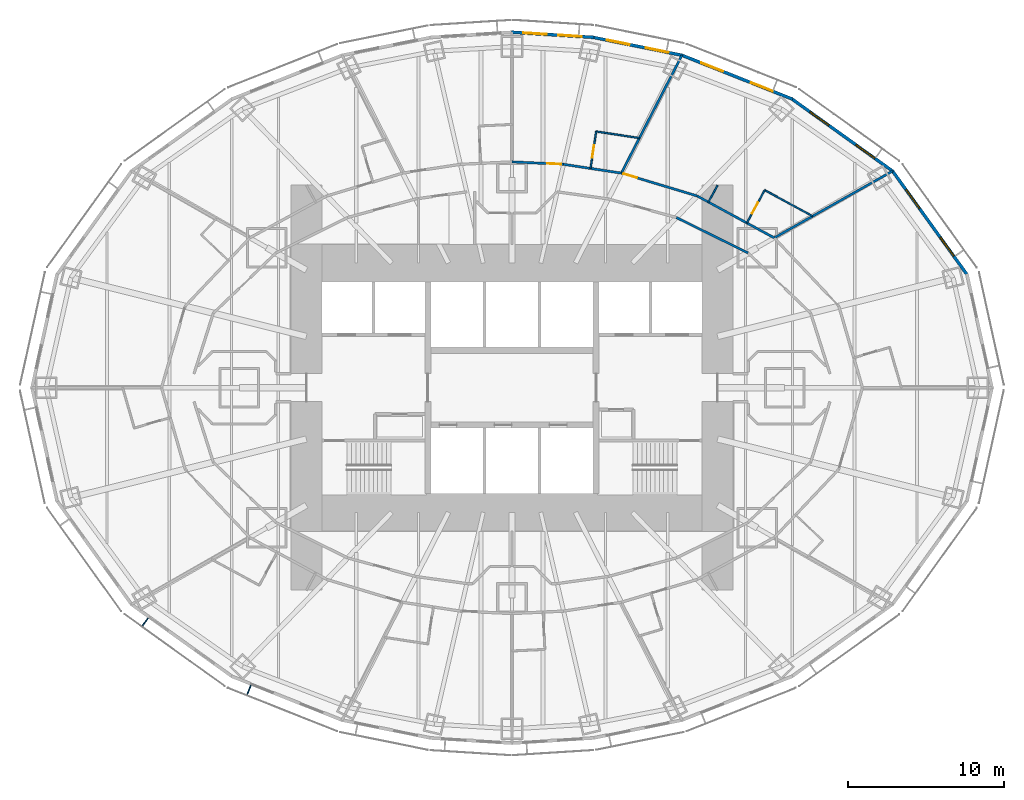
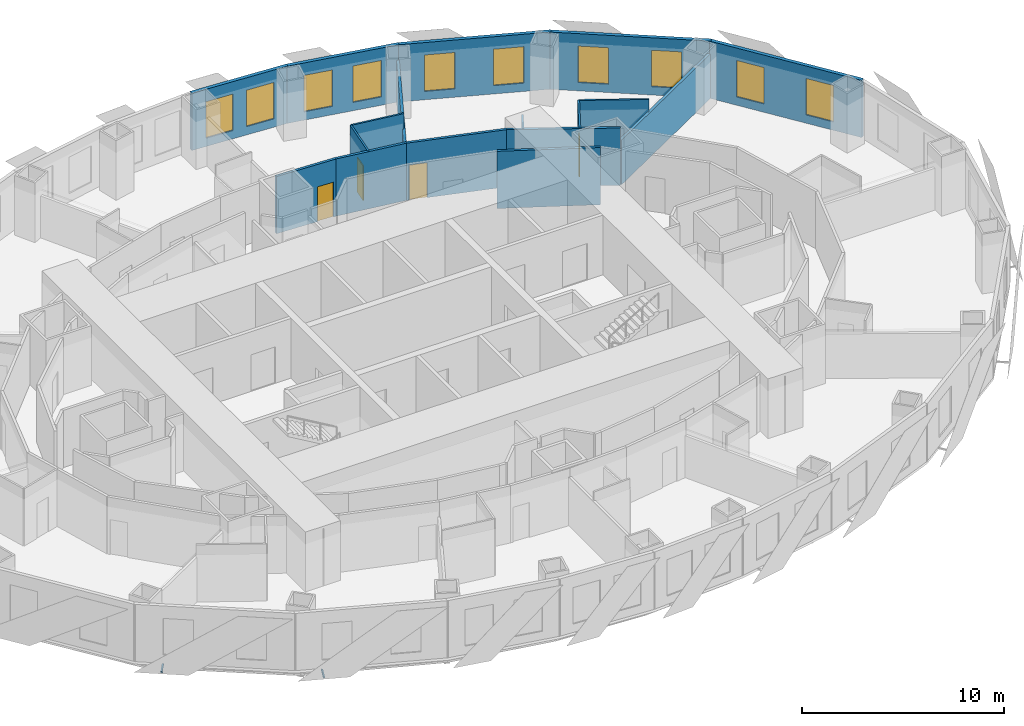
# One storey, part 10 of 15: 17 walls, 10 windows, 4 doors, 2 discrete accessories, 14 openings.
"""IFC4 building model written with IfcOpenShell, lengths in metres."""

from ifc_helpers import new_model, si_unit, direction, frame, frame_2d, origin, origin_2d, place, context, subcontext, project, spatial, rectangle, extrude, material, layer, layer_set, type_object, element, fill, save


model = new_model("IFC4")

# Units and contexts
model_context = context("Model", 3, precision=1e-05, world=origin(), true_north=direction((0.0, 1.0)))
body_context = subcontext(model_context, "Body", "Model", "MODEL_VIEW")
ifc_project = project(units=[si_unit("LENGTHUNIT", "METRE"), si_unit("AREAUNIT", "SQUARE_METRE"), si_unit("VOLUMEUNIT", "CUBIC_METRE"), si_unit("PLANEANGLEUNIT", "RADIAN"), si_unit("MASSUNIT", "GRAM", prefix="KILO")], contexts=[model_context])

# Site, building, storey
site_placement = place(None, origin())
site = spatial("IfcSite", under=ifc_project, at=site_placement, CompositionType="ELEMENT")
building_placement = place(site_placement, origin())
building = spatial("IfcBuilding", under=site, at=building_placement, Name="Lantaw Convention Tower", CompositionType="ELEMENT")
storey_placement = place(building_placement, frame((0.0, 0.0, 87.39990234375)))
storey = spatial("IfcBuildingStorey", under=building, at=storey_placement, Name="L20", CompositionType="ELEMENT", Elevation=87.39990234375)

# Wall, opening, door
ifc_material_1 = material(Name="Moisture resistant gypsum board on steel studs", Category="steel")
ifc_layer_1 = layer(ifc_material_1, 0.10009765625)
ifc_layer_set_1 = layer_set([ifc_layer_1], Name="Bathroom wall 100")
wall_type_1 = type_object("IfcWallType", Name="Bathroom wall 100", PredefinedType="PARTITIONING", material=ifc_layer_set_1)
wall_1_placement = place(storey_placement, frame((15.078125, 10.57568359375, 0.0), z_axis=(0.0, 0.0, 1.0), x_axis=(0.477832549678, 0.878450940274, 0.0)))
wall_1 = element("IfcWall", 1, at=wall_1_placement, inside=storey, type_object=wall_type_1, Name="Bathroom wall 100", PredefinedType="PARTITIONING", context=body_context, shape_type="SweptSolid", body=[
    extrude(rectangle(XDim=2.39990234375, YDim=0.10009765625, at=frame_2d((1.199951171875, 0.0))), origin(), (0.0, 0.0, 1.0), 3.4501953125),
])
opening_1_placement = place(wall_1_placement, frame((0.699951171875, 0.0, 0.0)))
opening_1 = element("IfcOpeningElement", 2, at=opening_1_placement, cuts=wall_1, Name="Opening L20.28", PredefinedType="OPENING", context=body_context, shape_type="SweptSolid", body=[
    extrude(rectangle(XDim=0.800048828125, YDim=2.10009765625, at=frame_2d((0.39990234375, 1.050048828125))), frame((0.0, 0.06005859375, 0.0), z_axis=(0.0, -1.0, 0.0), x_axis=(1.0, 0.0, 0.0)), (0.0, 0.0, 1.0), 0.1201171875),
])
ifc_material_2 = material(Name="Timber", Category="wood")
door_type_1 = type_object("IfcDoorType", Name="Bathroom door 800", OperationType="SINGLE_SWING_LEFT", PredefinedType="DOOR", material=ifc_material_2)
door_1_placement = place(opening_1_placement, origin())
door_1 = element("IfcDoor", 3, at=door_1_placement, inside=storey, type_object=door_type_1, Name="Bathroom door", OperationType="SINGLE_SWING_LEFT", OverallHeight=2.10009765625, OverallWidth=0.800048828125, PredefinedType="DOOR", context=body_context, shape_type="SweptSolid", body=[
    extrude(rectangle(XDim=0.800048828125, YDim=2.10009765625, at=frame_2d((0.39990234375, 1.050048828125))), frame((0.0, 0.02490234375, 0.0), z_axis=(0.0, -1.0, 0.0), x_axis=(1.0, 0.0, 0.0)), (0.0, 0.0, 1.0), 0.050048828125),
])
fill(opening_1, door_1)

# Wall
wall_2_placement = place(storey_placement, frame((16.224853515625, 12.683837890625, 0.0), z_axis=(0.0, 0.0, 1.0), x_axis=(0.878473578893, -0.477790928322, 0.0)))
element("IfcWall", 4, at=wall_2_placement, inside=storey, type_object=wall_type_1, Name="Bathroom wall 100", PredefinedType="PARTITIONING", context=body_context, shape_type="SweptSolid", body=[
    extrude(rectangle(XDim=3.48291015625, YDim=0.10009765625, at=frame_2d((1.741455078125, 0.0))), origin(), (0.0, 0.0, 1.0), 3.4501953125),
])

# Wall, opening, door
wall_3_placement = place(storey_placement, frame((5.042236328125, 14.077880859375, 0.0), z_axis=(0.0, 0.0, 1.0), x_axis=(0.150856962013, 0.988555601376, 0.0)))
wall_3 = element("IfcWall", 5, at=wall_3_placement, inside=storey, type_object=wall_type_1, Name="Bathroom wall 100", PredefinedType="PARTITIONING", context=body_context, shape_type="SweptSolid", body=[
    extrude(rectangle(XDim=2.400146484375, YDim=0.10009765625, at=frame_2d((1.2001953125, 0.0))), origin(), (0.0, 0.0, 1.0), 3.4501953125),
])
opening_2_placement = place(wall_3_placement, frame((0.699951171875, 0.0, 0.0)))
opening_2 = element("IfcOpeningElement", 6, at=opening_2_placement, cuts=wall_3, Name="Opening L20.30", PredefinedType="OPENING", context=body_context, shape_type="SweptSolid", body=[
    extrude(rectangle(XDim=0.800048828125, YDim=2.10009765625, at=frame_2d((0.39990234375, 1.050048828125))), frame((0.0, 0.06005859375, 0.0), z_axis=(0.0, -1.0, 0.0), x_axis=(1.0, 0.0, 0.0)), (0.0, 0.0, 1.0), 0.1201171875),
])
door_2_placement = place(opening_2_placement, origin())
door_2 = element("IfcDoor", 7, at=door_2_placement, inside=storey, type_object=door_type_1, Name="Bathroom door", OperationType="SINGLE_SWING_LEFT", OverallHeight=2.10009765625, OverallWidth=0.800048828125, PredefinedType="DOOR", context=body_context, shape_type="SweptSolid", body=[
    extrude(rectangle(XDim=0.800048828125, YDim=2.10009765625, at=frame_2d((0.39990234375, 1.050048828125))), frame((0.0, 0.02490234375, 0.0), z_axis=(0.0, -1.0, 0.0), x_axis=(1.0, 0.0, 0.0)), (0.0, 0.0, 1.0), 0.050048828125),
])
fill(opening_2, door_2)

# Walls
wall_4_placement = place(storey_placement, frame((5.404296875, 16.450439453125, 0.0), z_axis=(0.0, 0.0, 1.0), x_axis=(0.988568792086, -0.150770498819, 0.0)))
element("IfcWall", 8, at=wall_4_placement, inside=storey, type_object=wall_type_1, Name="Bathroom wall 100", PredefinedType="PARTITIONING", context=body_context, shape_type="SweptSolid", body=[
    extrude(rectangle(XDim=2.794921875, YDim=0.10009765625, at=frame_2d((1.3974609375, 0.0))), origin(), (0.0, 0.0, 1.0), 3.4501953125),
])
ifc_material_3 = material(Name="Gypsum board on steel studs, fire rated", Category="steel")
ifc_layer_2 = layer(ifc_material_3, 0.14990234375)
ifc_layer_set_2 = layer_set([ifc_layer_2], Name="Corridor wall 150 EI 60")
wall_type_2 = type_object("IfcWallType", Name="Corridor wall 150 EI 60", PredefinedType="PARTITIONING", material=ifc_layer_set_2)
wall_5_placement = place(storey_placement, frame((16.8349609375, 9.6201171875, 0.0), z_axis=(0.0, 0.0, 1.0), x_axis=(-0.878450059298, 0.477834169267, 0.0)))
element("IfcWall", 9, at=wall_5_placement, inside=storey, type_object=wall_type_2, Name="Corridor wall 150", PredefinedType="PARTITIONING", context=body_context, shape_type="SweptSolid", body=[
    extrude(rectangle(XDim=5.630859375, YDim=0.14990234375, at=frame_2d((2.8154296875, 0.0))), origin(), (0.0, 0.0, 1.0), 3.4501953125),
])

# Wall, opening, door
wall_6_placement = place(storey_placement, frame((11.888427734375, 12.310791015625, 0.0), z_axis=(0.0, 0.0, 1.0), x_axis=(-0.957564241242, 0.288219922793, 0.0)))
wall_6 = element("IfcWall", 10, at=wall_6_placement, inside=storey, type_object=wall_type_2, Name="Corridor wall 150", PredefinedType="PARTITIONING", context=body_context, shape_type="SweptSolid", body=[
    extrude(rectangle(XDim=5.0849609375, YDim=0.14990234375, at=frame_2d((2.54248046875, 0.0))), origin(), (0.0, 0.0, 1.0), 3.4501953125),
])
opening_3_placement = place(wall_6_placement, frame((4.03466796875, 0.0, 0.0)))
opening_3 = element("IfcOpeningElement", 11, at=opening_3_placement, cuts=wall_6, Name="Opening L20.29", PredefinedType="OPENING", context=body_context, shape_type="SweptSolid", body=[
    extrude(rectangle(XDim=0.89990234375, YDim=2.10009765625, at=frame_2d((0.449951171875, 1.050048828125))), frame((0.0, 0.0849609375, 0.0), z_axis=(0.0, -1.0, 0.0), x_axis=(1.0, 0.0, 0.0)), (0.0, 0.0, 1.0), 0.169921875),
])
ifc_material_4 = material(Name="Steel, fire rated", Category="steel")
door_type_2 = type_object("IfcDoorType", Name="Guest room entrance door FD30S", OperationType="SINGLE_SWING_LEFT", PredefinedType="DOOR", material=ifc_material_4)
door_3_placement = place(opening_3_placement, origin())
door_3 = element("IfcDoor", 12, at=door_3_placement, inside=storey, type_object=door_type_2, Name="Junior suite entrance door", OperationType="SINGLE_SWING_LEFT", OverallHeight=2.10009765625, OverallWidth=0.89990234375, PredefinedType="DOOR", context=body_context, shape_type="SweptSolid", body=[
    extrude(rectangle(XDim=0.89990234375, YDim=2.10009765625, at=frame_2d((0.449951171875, 1.050048828125))), frame((0.0, 0.02490234375, 0.0), z_axis=(0.0, -1.0, 0.0), x_axis=(1.0, 0.0, 0.0)), (0.0, 0.0, 1.0), 0.050048828125),
])
fill(opening_3, door_3)

# Wall
wall_7_placement = place(storey_placement, frame((7.019287109375, 13.7763671875, 0.0), z_axis=(0.0, 0.0, 1.0), x_axis=(-0.988564270062, 0.150800145746, 0.0)))
element("IfcWall", 13, at=wall_7_placement, inside=storey, type_object=wall_type_2, Name="Corridor wall 150", PredefinedType="PARTITIONING", context=body_context, shape_type="SweptSolid", body=[
    extrude(rectangle(XDim=3.751220703125, YDim=0.14990234375, at=frame_2d((1.87548828125, 0.0))), origin(), (0.0, 0.0, 1.0), 3.4501953125),
])

# Wall, opening, door
wall_8_placement = place(storey_placement, frame((3.31103515625, 14.342041015625, 0.0), z_axis=(0.0, 0.0, 1.0), x_axis=(-0.998863968075, 0.047652631422, 0.0)))
wall_8 = element("IfcWall", 14, at=wall_8_placement, inside=storey, type_object=wall_type_2, Name="Corridor wall 150", PredefinedType="PARTITIONING", context=body_context, shape_type="SweptSolid", body=[
    extrude(rectangle(XDim=3.314697265625, YDim=0.14990234375, at=frame_2d((1.6572265625, 0.0))), origin(), (0.0, 0.0, 1.0), 3.4501953125),
])
opening_4_placement = place(wall_8_placement, frame((0.14990234375, 0.0, 0.0)))
opening_4 = element("IfcOpeningElement", 15, at=opening_4_placement, cuts=wall_8, Name="Opening L20.31", PredefinedType="OPENING", context=body_context, shape_type="SweptSolid", body=[
    extrude(rectangle(XDim=0.89990234375, YDim=2.10009765625, at=frame_2d((0.449951171875, 1.050048828125))), frame((0.0, 0.0849609375, 0.0), z_axis=(0.0, -1.0, 0.0), x_axis=(1.0, 0.0, 0.0)), (0.0, 0.0, 1.0), 0.169921875),
])
door_4_placement = place(opening_4_placement, origin())
door_4 = element("IfcDoor", 16, at=door_4_placement, inside=storey, type_object=door_type_2, Name="Junior suite entrance door", OperationType="SINGLE_SWING_LEFT", OverallHeight=2.10009765625, OverallWidth=0.89990234375, PredefinedType="DOOR", context=body_context, shape_type="SweptSolid", body=[
    extrude(rectangle(XDim=0.89990234375, YDim=2.10009765625, at=frame_2d((0.449951171875, 1.050048828125))), frame((0.0, 0.02490234375, 0.0), z_axis=(0.0, -1.0, 0.0), x_axis=(1.0, 0.0, 0.0)), (0.0, 0.0, 1.0), 0.050048828125),
])
fill(opening_4, door_4)

# Wall
wall_9_placement = place(storey_placement, frame((15.1474609375, 8.65576171875, 0.0), z_axis=(0.0, 0.0, 1.0), x_axis=(-0.89656943448, 0.442903205177, 0.0)))
element("IfcWall", 17, at=wall_9_placement, inside=storey, type_object=wall_type_2, Name="Corridor wall 150", PredefinedType="PARTITIONING", context=body_context, shape_type="SweptSolid", body=[
    extrude(rectangle(XDim=5.12646484375, YDim=0.14990234375, at=frame_2d((2.563232421875, 0.0))), origin(), (0.0, 0.0, 1.0), 3.4501953125),
])

# Wall, openings, windows
ifc_material_5 = material(Name="Insulated aluminium panel on steel frame", Category="steel")
ifc_layer_3 = layer(ifc_material_5, 0.199951171875)
ifc_layer_set_3 = layer_set([ifc_layer_3], Name="External wall 200")
wall_type_3 = type_object("IfcWallType", Name="External wall 200", PredefinedType="SOLIDWALL", material=ifc_layer_set_3)
wall_10_placement = place(storey_placement, frame((29.260498046875, 7.199951171875, 0.0), z_axis=(0.0, 0.0, 1.0), x_axis=(-0.583937613703, 0.811798536155, 0.0)))
wall_10 = element("IfcWall", 18, at=wall_10_placement, inside=storey, type_object=wall_type_3, Name="Facade panel wall", PredefinedType="SOLIDWALL", context=body_context, shape_type="SweptSolid", body=[
    extrude(rectangle(XDim=8.322998046875, YDim=0.199951171875, at=frame_2d((4.16162109375, 0.0))), origin(), (0.0, 0.0, 1.0), 3.4501953125),
])
opening_5_placement = place(wall_10_placement, frame((1.53076171875, 0.0, 0.5)))
opening_5 = element("IfcOpeningElement", 19, at=opening_5_placement, cuts=wall_10, Name="Opening W2", PredefinedType="OPENING", context=body_context, shape_type="SweptSolid", body=[
    extrude(rectangle(XDim=1.5, YDim=2.199951171875, at=frame_2d((0.75, 1.10009765625))), frame((0.0, 0.10986328125, 0.0), z_axis=(0.0, -1.0, 0.0), x_axis=(1.0, 0.0, 0.0)), (0.0, 0.0, 1.0), 0.219970703125),
])
opening_6_placement = place(wall_10_placement, frame((5.292236328125, 0.0, 0.5)))
opening_6 = element("IfcOpeningElement", 20, at=opening_6_placement, cuts=wall_10, Name="Opening W2", PredefinedType="OPENING", context=body_context, shape_type="SweptSolid", body=[
    extrude(rectangle(XDim=1.5, YDim=2.199951171875, at=frame_2d((0.75, 1.10009765625))), frame((0.0, 0.10986328125, 0.0), z_axis=(0.0, -1.0, 0.0), x_axis=(1.0, 0.0, 0.0)), (0.0, 0.0, 1.0), 0.219970703125),
])
ifc_material_6 = material(Name="Aluminium frame, clear insulating glass", Category="aluminium")
window_type = type_object("IfcWindowType", Name="Suite window 1500x2200", PartitioningType="SINGLE_PANEL", PredefinedType="WINDOW", material=ifc_material_6)
window_1_placement = place(opening_5_placement, origin())
window_1 = element("IfcWindow", 21, at=window_1_placement, inside=storey, type_object=window_type, Name="Guest room window", OverallHeight=2.199951171875, OverallWidth=1.5, PartitioningType="SINGLE_PANEL", PredefinedType="WINDOW", context=body_context, shape_type="SweptSolid", body=[
    extrude(rectangle(XDim=1.5, YDim=2.199951171875, at=frame_2d((0.75, 1.10009765625))), frame((0.0, 0.030029296875, 0.0), z_axis=(0.0, -1.0, 0.0), x_axis=(1.0, 0.0, 0.0)), (0.0, 0.0, 1.0), 0.06005859375),
])
fill(opening_5, window_1)
window_2_placement = place(opening_6_placement, origin())
window_2 = element("IfcWindow", 22, at=window_2_placement, inside=storey, type_object=window_type, Name="Guest room window", OverallHeight=2.199951171875, OverallWidth=1.5, PartitioningType="SINGLE_PANEL", PredefinedType="WINDOW", context=body_context, shape_type="SweptSolid", body=[
    extrude(rectangle(XDim=1.5, YDim=2.199951171875, at=frame_2d((0.75, 1.10009765625))), frame((0.0, 0.030029296875, 0.0), z_axis=(0.0, -1.0, 0.0), x_axis=(1.0, 0.0, 0.0)), (0.0, 0.0, 1.0), 0.06005859375),
])
fill(opening_6, window_2)

wall_11_placement = place(storey_placement, frame((24.482421875, 13.87451171875, 0.0), z_axis=(0.0, 0.0, 1.0), x_axis=(-0.812791321576, 0.582554948112, 0.0)))
wall_11 = element("IfcWall", 23, at=wall_11_placement, inside=storey, type_object=wall_type_3, Name="Facade panel wall", PredefinedType="SOLIDWALL", context=body_context, shape_type="SweptSolid", body=[
    extrude(rectangle(XDim=8.063232421875, YDim=0.199951171875, at=frame_2d((4.03173828125, 0.0))), origin(), (0.0, 0.0, 1.0), 3.4501953125),
])
opening_7_placement = place(wall_11_placement, frame((1.4658203125, 0.0, 0.5)))
opening_7 = element("IfcOpeningElement", 24, at=opening_7_placement, cuts=wall_11, Name="Opening W2", PredefinedType="OPENING", context=body_context, shape_type="SweptSolid", body=[
    extrude(rectangle(XDim=1.5, YDim=2.199951171875, at=frame_2d((0.75, 1.10009765625))), frame((0.0, 0.10986328125, 0.0), z_axis=(0.0, -1.0, 0.0), x_axis=(1.0, 0.0, 0.0)), (0.0, 0.0, 1.0), 0.219970703125),
])
opening_8_placement = place(wall_11_placement, frame((5.097412109375, 0.0, 0.5)))
opening_8 = element("IfcOpeningElement", 25, at=opening_8_placement, cuts=wall_11, Name="Opening W2", PredefinedType="OPENING", context=body_context, shape_type="SweptSolid", body=[
    extrude(rectangle(XDim=1.5, YDim=2.199951171875, at=frame_2d((0.75, 1.10009765625))), frame((0.0, 0.10986328125, 0.0), z_axis=(0.0, -1.0, 0.0), x_axis=(1.0, 0.0, 0.0)), (0.0, 0.0, 1.0), 0.219970703125),
])
window_3_placement = place(opening_7_placement, origin())
window_3 = element("IfcWindow", 26, at=window_3_placement, inside=storey, type_object=window_type, Name="Guest room window", OverallHeight=2.199951171875, OverallWidth=1.5, PartitioningType="SINGLE_PANEL", PredefinedType="WINDOW", context=body_context, shape_type="SweptSolid", body=[
    extrude(rectangle(XDim=1.5, YDim=2.199951171875, at=frame_2d((0.75, 1.10009765625))), frame((0.0, 0.030029296875, 0.0), z_axis=(0.0, -1.0, 0.0), x_axis=(1.0, 0.0, 0.0)), (0.0, 0.0, 1.0), 0.06005859375),
])
fill(opening_7, window_3)
window_4_placement = place(opening_8_placement, origin())
window_4 = element("IfcWindow", 27, at=window_4_placement, inside=storey, type_object=window_type, Name="Guest room window", OverallHeight=2.199951171875, OverallWidth=1.5, PartitioningType="SINGLE_PANEL", PredefinedType="WINDOW", context=body_context, shape_type="SweptSolid", body=[
    extrude(rectangle(XDim=1.5, YDim=2.199951171875, at=frame_2d((0.75, 1.10009765625))), frame((0.0, 0.030029296875, 0.0), z_axis=(0.0, -1.0, 0.0), x_axis=(1.0, 0.0, 0.0)), (0.0, 0.0, 1.0), 0.06005859375),
])
fill(opening_8, window_4)

wall_12_placement = place(storey_placement, frame((18.018310546875, 18.522705078125, 0.0), z_axis=(0.0, 0.0, 1.0), x_axis=(-0.929358351251, 0.369178892895, 0.0)))
wall_12 = element("IfcWall", 28, at=wall_12_placement, inside=storey, type_object=wall_type_3, Name="Facade panel wall", PredefinedType="SOLIDWALL", context=body_context, shape_type="SweptSolid", body=[
    extrude(rectangle(XDim=7.6923828125, YDim=0.199951171875, at=frame_2d((3.84619140625, 0.0))), origin(), (0.0, 0.0, 1.0), 3.4501953125),
])
opening_9_placement = place(wall_12_placement, frame((1.373046875, 0.0, 0.5)))
opening_9 = element("IfcOpeningElement", 29, at=opening_9_placement, cuts=wall_12, Name="Opening W2", PredefinedType="OPENING", context=body_context, shape_type="SweptSolid", body=[
    extrude(rectangle(XDim=1.5, YDim=2.199951171875, at=frame_2d((0.75, 1.10009765625))), frame((0.0, 0.10986328125, 0.0), z_axis=(0.0, -1.0, 0.0), x_axis=(1.0, 0.0, 0.0)), (0.0, 0.0, 1.0), 0.219970703125),
])
opening_10_placement = place(wall_12_placement, frame((4.819091796875, 0.0, 0.5)))
opening_10 = element("IfcOpeningElement", 30, at=opening_10_placement, cuts=wall_12, Name="Opening W2", PredefinedType="OPENING", context=body_context, shape_type="SweptSolid", body=[
    extrude(rectangle(XDim=1.5, YDim=2.199951171875, at=frame_2d((0.75, 1.10009765625))), frame((0.0, 0.10986328125, 0.0), z_axis=(0.0, -1.0, 0.0), x_axis=(1.0, 0.0, 0.0)), (0.0, 0.0, 1.0), 0.219970703125),
])
window_5_placement = place(opening_9_placement, origin())
window_5 = element("IfcWindow", 31, at=window_5_placement, inside=storey, type_object=window_type, Name="Guest room window", OverallHeight=2.199951171875, OverallWidth=1.5, PartitioningType="SINGLE_PANEL", PredefinedType="WINDOW", context=body_context, shape_type="SweptSolid", body=[
    extrude(rectangle(XDim=1.5, YDim=2.199951171875, at=frame_2d((0.75, 1.10009765625))), frame((0.0, 0.030029296875, 0.0), z_axis=(0.0, -1.0, 0.0), x_axis=(1.0, 0.0, 0.0)), (0.0, 0.0, 1.0), 0.06005859375),
])
fill(opening_9, window_5)
window_6_placement = place(opening_10_placement, origin())
window_6 = element("IfcWindow", 32, at=window_6_placement, inside=storey, type_object=window_type, Name="Guest room window", OverallHeight=2.199951171875, OverallWidth=1.5, PartitioningType="SINGLE_PANEL", PredefinedType="WINDOW", context=body_context, shape_type="SweptSolid", body=[
    extrude(rectangle(XDim=1.5, YDim=2.199951171875, at=frame_2d((0.75, 1.10009765625))), frame((0.0, 0.030029296875, 0.0), z_axis=(0.0, -1.0, 0.0), x_axis=(1.0, 0.0, 0.0)), (0.0, 0.0, 1.0), 0.06005859375),
])
fill(opening_10, window_6)

wall_13_placement = place(storey_placement, frame((10.956787109375, 21.336669921875, 0.0), z_axis=(0.0, 0.0, 1.0), x_axis=(-0.980251657452, 0.197754110105, 0.0)))
wall_13 = element("IfcWall", 33, at=wall_13_placement, inside=storey, type_object=wall_type_3, Name="Facade panel wall", PredefinedType="SOLIDWALL", context=body_context, shape_type="SweptSolid", body=[
    extrude(rectangle(XDim=5.90380859375, YDim=0.199951171875, at=frame_2d((2.951904296875, 0.0))), origin(), (0.0, 0.0, 1.0), 3.4501953125),
])
opening_11_placement = place(wall_13_placement, frame((0.92578125, 0.0, 0.5)))
opening_11 = element("IfcOpeningElement", 34, at=opening_11_placement, cuts=wall_13, Name="Opening W2", PredefinedType="OPENING", context=body_context, shape_type="SweptSolid", body=[
    extrude(rectangle(XDim=1.5, YDim=2.199951171875, at=frame_2d((0.75, 1.10009765625))), frame((0.0, 0.10986328125, 0.0), z_axis=(0.0, -1.0, 0.0), x_axis=(1.0, 0.0, 0.0)), (0.0, 0.0, 1.0), 0.219970703125),
])
opening_12_placement = place(wall_13_placement, frame((3.477783203125, 0.0, 0.5)))
opening_12 = element("IfcOpeningElement", 35, at=opening_12_placement, cuts=wall_13, Name="Opening W2", PredefinedType="OPENING", context=body_context, shape_type="SweptSolid", body=[
    extrude(rectangle(XDim=1.5, YDim=2.199951171875, at=frame_2d((0.75, 1.10009765625))), frame((0.0, 0.10986328125, 0.0), z_axis=(0.0, -1.0, 0.0), x_axis=(1.0, 0.0, 0.0)), (0.0, 0.0, 1.0), 0.219970703125),
])
window_7_placement = place(opening_11_placement, origin())
window_7 = element("IfcWindow", 36, at=window_7_placement, inside=storey, type_object=window_type, Name="Guest room window", OverallHeight=2.199951171875, OverallWidth=1.5, PartitioningType="SINGLE_PANEL", PredefinedType="WINDOW", context=body_context, shape_type="SweptSolid", body=[
    extrude(rectangle(XDim=1.5, YDim=2.199951171875, at=frame_2d((0.75, 1.10009765625))), frame((0.0, 0.030029296875, 0.0), z_axis=(0.0, -1.0, 0.0), x_axis=(1.0, 0.0, 0.0)), (0.0, 0.0, 1.0), 0.06005859375),
])
fill(opening_11, window_7)
window_8_placement = place(opening_12_placement, origin())
window_8 = element("IfcWindow", 37, at=window_8_placement, inside=storey, type_object=window_type, Name="Guest room window", OverallHeight=2.199951171875, OverallWidth=1.5, PartitioningType="SINGLE_PANEL", PredefinedType="WINDOW", context=body_context, shape_type="SweptSolid", body=[
    extrude(rectangle(XDim=1.5, YDim=2.199951171875, at=frame_2d((0.75, 1.10009765625))), frame((0.0, 0.030029296875, 0.0), z_axis=(0.0, -1.0, 0.0), x_axis=(1.0, 0.0, 0.0)), (0.0, 0.0, 1.0), 0.06005859375),
])
fill(opening_12, window_8)

wall_14_placement = place(storey_placement, frame((5.252685546875, 22.493408203125, 0.0), z_axis=(0.0, 0.0, 1.0), x_axis=(-0.998018582375, 0.062919863585, 0.0)))
wall_14 = element("IfcWall", 38, at=wall_14_placement, inside=storey, type_object=wall_type_3, Name="Facade panel wall", PredefinedType="SOLIDWALL", context=body_context, shape_type="SweptSolid", body=[
    extrude(rectangle(XDim=5.30419921875, YDim=0.199951171875, at=frame_2d((2.652099609375, 0.0))), origin(), (0.0, 0.0, 1.0), 3.4501953125),
])
opening_13_placement = place(wall_14_placement, frame((0.77587890625, 0.0, 0.5)))
opening_13 = element("IfcOpeningElement", 39, at=opening_13_placement, cuts=wall_14, Name="Opening W2", PredefinedType="OPENING", context=body_context, shape_type="SweptSolid", body=[
    extrude(rectangle(XDim=1.5, YDim=2.199951171875, at=frame_2d((0.75, 1.10009765625))), frame((0.0, 0.10986328125, 0.0), z_axis=(0.0, -1.0, 0.0), x_axis=(1.0, 0.0, 0.0)), (0.0, 0.0, 1.0), 0.219970703125),
])
opening_14_placement = place(wall_14_placement, frame((3.028076171875, 0.0, 0.5)))
opening_14 = element("IfcOpeningElement", 40, at=opening_14_placement, cuts=wall_14, Name="Opening W2", PredefinedType="OPENING", context=body_context, shape_type="SweptSolid", body=[
    extrude(rectangle(XDim=1.5, YDim=2.199951171875, at=frame_2d((0.75, 1.10009765625))), frame((0.0, 0.10986328125, 0.0), z_axis=(0.0, -1.0, 0.0), x_axis=(1.0, 0.0, 0.0)), (0.0, 0.0, 1.0), 0.219970703125),
])
window_9_placement = place(opening_13_placement, origin())
window_9 = element("IfcWindow", 41, at=window_9_placement, inside=storey, type_object=window_type, Name="Guest room window", OverallHeight=2.199951171875, OverallWidth=1.5, PartitioningType="SINGLE_PANEL", PredefinedType="WINDOW", context=body_context, shape_type="SweptSolid", body=[
    extrude(rectangle(XDim=1.5, YDim=2.199951171875, at=frame_2d((0.75, 1.10009765625))), frame((0.0, 0.030029296875, 0.0), z_axis=(0.0, -1.0, 0.0), x_axis=(1.0, 0.0, 0.0)), (0.0, 0.0, 1.0), 0.06005859375),
])
fill(opening_13, window_9)
window_10_placement = place(opening_14_placement, origin())
window_10 = element("IfcWindow", 42, at=window_10_placement, inside=storey, type_object=window_type, Name="Guest room window", OverallHeight=2.199951171875, OverallWidth=1.5, PartitioningType="SINGLE_PANEL", PredefinedType="WINDOW", context=body_context, shape_type="SweptSolid", body=[
    extrude(rectangle(XDim=1.5, YDim=2.199951171875, at=frame_2d((0.75, 1.10009765625))), frame((0.0, 0.030029296875, 0.0), z_axis=(0.0, -1.0, 0.0), x_axis=(1.0, 0.0, 0.0)), (0.0, 0.0, 1.0), 0.06005859375),
])
fill(opening_14, window_10)

# Walls
ifc_material_7 = material(Name="Gypsum board on steel studs, acoustic", Category="steel")
ifc_layer_4 = layer(ifc_material_7, 0.14990234375)
ifc_layer_set_4 = layer_set([ifc_layer_4], Name="Guest room party wall 150")
wall_type_4 = type_object("IfcWallType", Name="Guest room party wall 150", PredefinedType="PARTITIONING", material=ifc_layer_set_4)
wall_15_placement = place(storey_placement, frame((24.434814453125, 13.90869140625, 0.0), z_axis=(0.0, 0.0, 1.0), x_axis=(-0.87090601027, -0.491449612143, 0.0)))
element("IfcWall", 43, at=wall_15_placement, inside=storey, type_object=wall_type_4, Name="Guest room party wall 150", PredefinedType="PARTITIONING", context=body_context, shape_type="SweptSolid", body=[
    extrude(rectangle(XDim=8.726318359375, YDim=0.14990234375, at=frame_2d((4.36328125, 0.0))), origin(), (0.0, 0.0, 1.0), 2.693115234375),
])
wall_16_placement = place(storey_placement, frame((10.911865234375, 21.345703125, 0.0), z_axis=(0.0, 0.0, 1.0), x_axis=(-0.457327273085, -0.889298468059, 0.0)))
element("IfcWall", 44, at=wall_16_placement, inside=storey, type_object=wall_type_4, Name="Guest room party wall 150", PredefinedType="PARTITIONING", context=body_context, shape_type="SweptSolid", body=[
    extrude(rectangle(XDim=8.511474609375, YDim=0.14990234375, at=frame_2d((4.255859375, 0.0))), origin(), (0.0, 0.0, 1.0), 2.528076171875),
])
ifc_layer_5 = layer(ifc_material_7, 0.10009765625)
ifc_layer_set_5 = layer_set([ifc_layer_5], Name="Office partition 100")
wall_type_5 = type_object("IfcWallType", Name="Office partition 100", PredefinedType="PARTITIONING", material=ifc_layer_set_5)
wall_17_placement = place(storey_placement, frame((13.199951171875, 13.0, 0.0), z_axis=(0.0, 0.0, 1.0), x_axis=(-0.477852414256, -0.878440134665, 0.0)))
element("IfcWall", 45, at=wall_17_placement, inside=storey, type_object=wall_type_5, Name="Office partition 100", PredefinedType="PARTITIONING", context=body_context, shape_type="SweptSolid", body=[
    extrude(rectangle(XDim=1.232421875, YDim=0.10009765625, at=frame_2d((0.6162109375, 0.0))), origin(), (0.0, 0.0, 1.0), 3.4501953125),
])

# Discrete accessories
for number, where, z_axis, x_axis, name in (
    (46, (-23.564453125, -15.06640625, -0.114990234375), (0.0, 0.0, 1.0), (0.812803733199, -0.5825376308, 0.0), "Screen bracket"),
    (47, (-16.898193359375, -19.4345703125, -0.114990234375), (0.0, 0.0, 1.0), (0.929361152748, -0.369171840425, 0.0), "Screen bracket"),
):
    element("IfcDiscreteAccessory", number, at=place(storey_placement, frame(where, z_axis=z_axis, x_axis=x_axis)), inside=storey, Name=name, PredefinedType="BRACKET", context=body_context, shape_type="SweptSolid", body=[
        extrude(rectangle(XDim=0.080078125, YDim=0.68798828125, at=origin_2d()), origin(), (0.0, 0.0, 1.0), 0.080078125),
    ])

save(model, "model.ifc")
